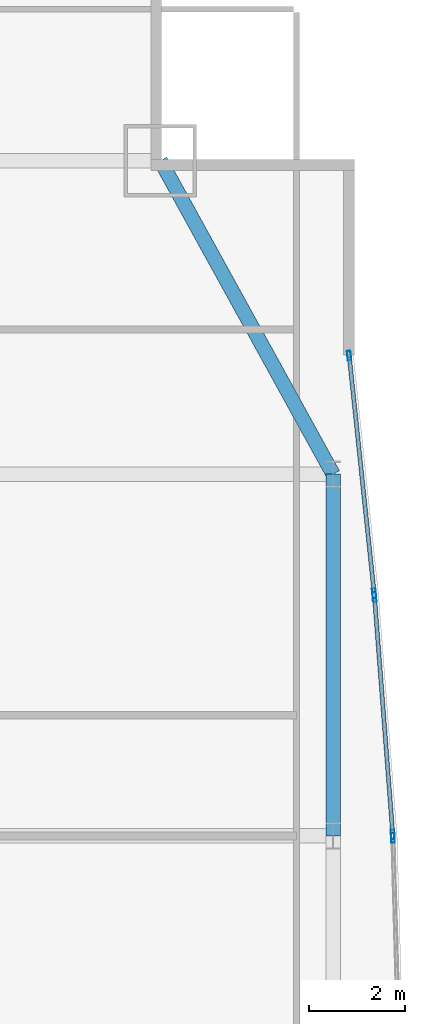
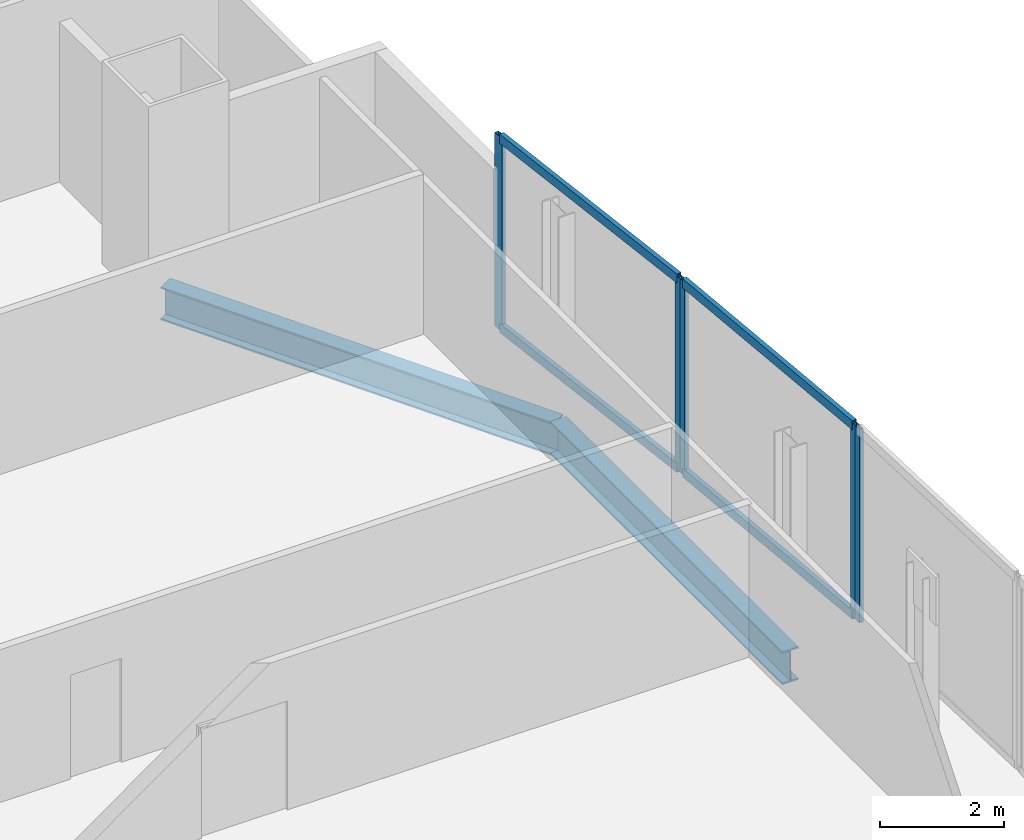
# One storey, part 23 of 30: 9 members, 2 beams, 3 elements without a shape of their own.
"""IFC4 building model written with IfcOpenShell, lengths in metres."""

from ifc_helpers import new_model, si_unit, direction, frame, origin, origin_2d, place, context, subcontext, project, spatial, hollow_rectangle, i_section, extrude, material, material_profile, profile_set, type_object, element, aggregate, save


model = new_model("IFC4")

# Units and contexts
model_context = context("Model", 3, precision=1e-05, world=origin(), true_north=direction((0.0, 1.0)))
body_context = subcontext(model_context, "Body", "Model", "MODEL_VIEW")
ifc_project = project(units=[si_unit("LENGTHUNIT", "METRE"), si_unit("AREAUNIT", "SQUARE_METRE"), si_unit("VOLUMEUNIT", "CUBIC_METRE"), si_unit("PLANEANGLEUNIT", "RADIAN"), si_unit("MASSUNIT", "GRAM", prefix="KILO")], contexts=[model_context])

# Site, building, storey
site_placement = place(None, origin())
site = spatial("IfcSite", under=ifc_project, at=site_placement, CompositionType="ELEMENT")
building_placement = place(site_placement, origin())
building = spatial("IfcBuilding", under=site, at=building_placement, Name="Khoronbel Lancet Exchange", CompositionType="ELEMENT")
storey_placement = place(building_placement, frame((0.0, 0.0, 90.60009765625)))
storey = spatial("IfcBuildingStorey", under=building, at=storey_placement, Name="L21", CompositionType="ELEMENT", Elevation=90.60009765625)

# Beams
ifc_material_1 = material(Name="Steel S355", Category="steel")
ifc_material_profile_1 = material_profile(ifc_material_1, i_section(OverallWidth=0.300048828125, OverallDepth=0.64990234375, WebThickness=0.01611328125, FlangeThickness=0.031005859375, at=origin_2d()), Name="HEB 650")
ifc_profile_set_1 = profile_set([ifc_material_profile_1], Name="Steel S355")
beam_type = type_object("IfcBeamType", Name="BM-BSP1", PredefinedType="SPANDREL", material=ifc_profile_set_1)
beam_1_placement = place(storey_placement, frame((69.6298828125, 35.699951171875, -0.505126953125), z_axis=(0.0, 1.0, 0.0), x_axis=(-1.0, 0.0, 0.0)))
element("IfcBeam", 1, at=beam_1_placement, inside=storey, type_object=beam_type, Name="Level L21 perimeter spandrel beam SP14", PredefinedType="SPANDREL", context=body_context, shape_type="SweptSolid", body=[
    extrude(i_section(OverallWidth=0.300048828125, OverallDepth=0.64990234375, WebThickness=0.01611328125, FlangeThickness=0.031005859375, at=origin_2d()), origin(), (0.0, 0.0, 1.0), 7.5),
])
beam_2_placement = place(storey_placement, frame((69.6298828125, 43.199951171875, -0.505126953125), z_axis=(-0.482418808117, 0.875940690672, 0.0), x_axis=(-0.875940690672, -0.482418808117, 0.0)))
element("IfcBeam", 2, at=beam_2_placement, inside=storey, type_object=beam_type, Name="Level L21 perimeter spandrel beam SP15", PredefinedType="SPANDREL", context=body_context, shape_type="SweptSolid", body=[
    extrude(i_section(OverallWidth=0.300048828125, OverallDepth=0.64990234375, WebThickness=0.01611328125, FlangeThickness=0.031005859375, at=origin_2d()), origin(), (0.0, 0.0, 1.0), 7.420654296875),
])

# Curtain wall, members
ifc_material_2 = material(Name="Low-E Solar Control Insulating Glass", Category="glass")
curtain_wall_type = type_object("IfcCurtainWallType", Name="CW-4", PredefinedType="NOTDEFINED", material=ifc_material_2)
curtain_wall_1_placement = place(storey_placement, origin())
curtain_wall_1 = element("IfcCurtainWall", 3, at=curtain_wall_1_placement, inside=storey, type_object=curtain_wall_type, Name="Unitised curtain wall CW-L21-E17", PredefinedType="NOTDEFINED")
ifc_material_3 = material(Name="Bronze-Anodised Aluminium 6063-T6", Category="aluminium")
ifc_material_profile_2 = material_profile(ifc_material_3, hollow_rectangle(XDim=0.074951171875, YDim=0.199951171875, WallThickness=0.0048828125, at=origin_2d()), Name="ALU MULLION 75x200")
ifc_profile_set_2 = profile_set([ifc_material_profile_2], Name="Bronze-Anodised Aluminium 6063-T6")
member_type_1 = type_object("IfcMemberType", Name="MEM-CWM2", PredefinedType="MULLION", material=ifc_profile_set_2)
member_1_placement = place(storey_placement, frame((69.9638671875, 45.657958984375, 0.0), z_axis=(0.0, 0.0, 1.0), x_axis=(0.994531779003, 0.104434383958, 0.0)))
member_1 = element("IfcMember", 4, at=member_1_placement, type_object=member_type_1, Name="CW4 mullion 1", PredefinedType="MULLION", context=body_context, shape_type="SweptSolid", body=[
    extrude(hollow_rectangle(XDim=0.074951171875, YDim=0.199951171875, WallThickness=0.0048828125, at=origin_2d()), origin(), (0.0, 0.0, 1.0), 3.81982421875),
])
member_2_placement = place(storey_placement, frame((70.4814453125, 40.729248046875, 0.0), z_axis=(0.0, 0.0, 1.0), x_axis=(0.994531779003, 0.104434383958, 0.0)))
member_2 = element("IfcMember", 5, at=member_2_placement, type_object=member_type_1, Name="CW4 mullion 2", PredefinedType="MULLION", context=body_context, shape_type="SweptSolid", body=[
    extrude(hollow_rectangle(XDim=0.074951171875, YDim=0.199951171875, WallThickness=0.0048828125, at=origin_2d()), origin(), (0.0, 0.0, 1.0), 3.81982421875),
])

curtain_wall_2_placement = place(storey_placement, origin())
curtain_wall_2 = element("IfcCurtainWall", 6, at=curtain_wall_2_placement, inside=storey, type_object=curtain_wall_type, Name="Unitised curtain wall CW-L21-E18", PredefinedType="NOTDEFINED")
member_3_placement = place(storey_placement, frame((70.48828125, 40.654541015625, 0.0), z_axis=(0.0, 0.0, 1.0), x_axis=(0.997059882555, 0.076626304874, 0.0)))
member_3 = element("IfcMember", 7, at=member_3_placement, type_object=member_type_1, Name="CW4 mullion 1", PredefinedType="MULLION", context=body_context, shape_type="SweptSolid", body=[
    extrude(hollow_rectangle(XDim=0.074951171875, YDim=0.199951171875, WallThickness=0.0048828125, at=origin_2d()), origin(), (0.0, 0.0, 1.0), 3.81982421875),
])
member_4_placement = place(storey_placement, frame((70.866455078125, 35.732666015625, 0.0), z_axis=(0.0, 0.0, 1.0), x_axis=(0.997059882555, 0.076626304874, 0.0)))
member_4 = element("IfcMember", 8, at=member_4_placement, type_object=member_type_1, Name="CW4 mullion 2", PredefinedType="MULLION", context=body_context, shape_type="SweptSolid", body=[
    extrude(hollow_rectangle(XDim=0.074951171875, YDim=0.199951171875, WallThickness=0.0048828125, at=origin_2d()), origin(), (0.0, 0.0, 1.0), 3.81982421875),
])

# Curtain wall, member
curtain_wall_3_placement = place(storey_placement, origin())
curtain_wall_3 = element("IfcCurtainWall", 9, at=curtain_wall_3_placement, inside=storey, type_object=curtain_wall_type, Name="Unitised curtain wall CW-L21-E19", PredefinedType="NOTDEFINED")
member_5_placement = place(storey_placement, frame((70.870361328125, 35.65771484375, 0.0), z_axis=(0.0, 0.0, 1.0), x_axis=(0.999604123662, 0.028135315146, 0.0)))
member_5 = element("IfcMember", 10, at=member_5_placement, type_object=member_type_1, Name="CW4 mullion 1", PredefinedType="MULLION", context=body_context, shape_type="SweptSolid", body=[
    extrude(hollow_rectangle(XDim=0.074951171875, YDim=0.199951171875, WallThickness=0.0048828125, at=origin_2d()), origin(), (0.0, 0.0, 1.0), 3.81982421875),
])
aggregate(curtain_wall_3, [member_5])

# Member
ifc_material_profile_3 = material_profile(ifc_material_3, hollow_rectangle(XDim=0.0849609375, YDim=0.179931640625, WallThickness=0.0048828125, at=origin_2d()), Name="ALU TRANSOM 85x180")
ifc_profile_set_3 = profile_set([ifc_material_profile_3], Name="Bronze-Anodised Aluminium 6063-T6")
member_type_2 = type_object("IfcMemberType", Name="MEM-CWT1", PredefinedType="USERDEFINED", material=ifc_profile_set_3)
member_6_placement = place(storey_placement, frame((69.9677734375, 45.62060546875, 0.04248046875), z_axis=(0.104445225696, -0.994530640468, 0.0), x_axis=(0.994530640468, 0.104445225696, 0.0)))
member_6 = element("IfcMember", 11, at=member_6_placement, type_object=member_type_2, Name="CW4 transom 1.1", ObjectType="TRANSOM", PredefinedType="USERDEFINED", context=body_context, shape_type="SweptSolid", body=[
    extrude(hollow_rectangle(XDim=0.0849609375, YDim=0.179931640625, WallThickness=0.0048828125, at=origin_2d()), origin(), (0.0, 0.0, 1.0), 4.880615234375),
])

member_7_placement = place(storey_placement, frame((69.9677734375, 45.62060546875, 3.77734375), z_axis=(0.104445225696, -0.994530640468, 0.0), x_axis=(0.994530640468, 0.104445225696, 0.0)))
member_7 = element("IfcMember", 12, at=member_7_placement, type_object=member_type_2, Name="CW4 transom 1.2", ObjectType="TRANSOM", PredefinedType="USERDEFINED", context=body_context, shape_type="SweptSolid", body=[
    extrude(hollow_rectangle(XDim=0.0849609375, YDim=0.179931640625, WallThickness=0.0048828125, at=origin_2d()), origin(), (0.0, 0.0, 1.0), 4.880615234375),
])

aggregate(curtain_wall_1, [member_1, member_2, member_6, member_7])

member_8_placement = place(storey_placement, frame((70.4912109375, 40.6171875, 0.04248046875), z_axis=(0.076635053626, -0.997059210155, 0.0), x_axis=(0.997059210155, 0.076635053626, 0.0)))
member_8 = element("IfcMember", 13, at=member_8_placement, type_object=member_type_2, Name="CW4 transom 1.1", ObjectType="TRANSOM", PredefinedType="USERDEFINED", context=body_context, shape_type="SweptSolid", body=[
    extrude(hollow_rectangle(XDim=0.0849609375, YDim=0.179931640625, WallThickness=0.0048828125, at=origin_2d()), origin(), (0.0, 0.0, 1.0), 4.861572265625),
])

member_9_placement = place(storey_placement, frame((70.4912109375, 40.6171875, 3.77734375), z_axis=(0.076635053626, -0.997059210155, 0.0), x_axis=(0.997059210155, 0.076635053626, 0.0)))
member_9 = element("IfcMember", 14, at=member_9_placement, type_object=member_type_2, Name="CW4 transom 1.2", ObjectType="TRANSOM", PredefinedType="USERDEFINED", context=body_context, shape_type="SweptSolid", body=[
    extrude(hollow_rectangle(XDim=0.0849609375, YDim=0.179931640625, WallThickness=0.0048828125, at=origin_2d()), origin(), (0.0, 0.0, 1.0), 4.861572265625),
])

aggregate(curtain_wall_2, [member_3, member_4, member_8, member_9])

save(model, "model.ifc")
